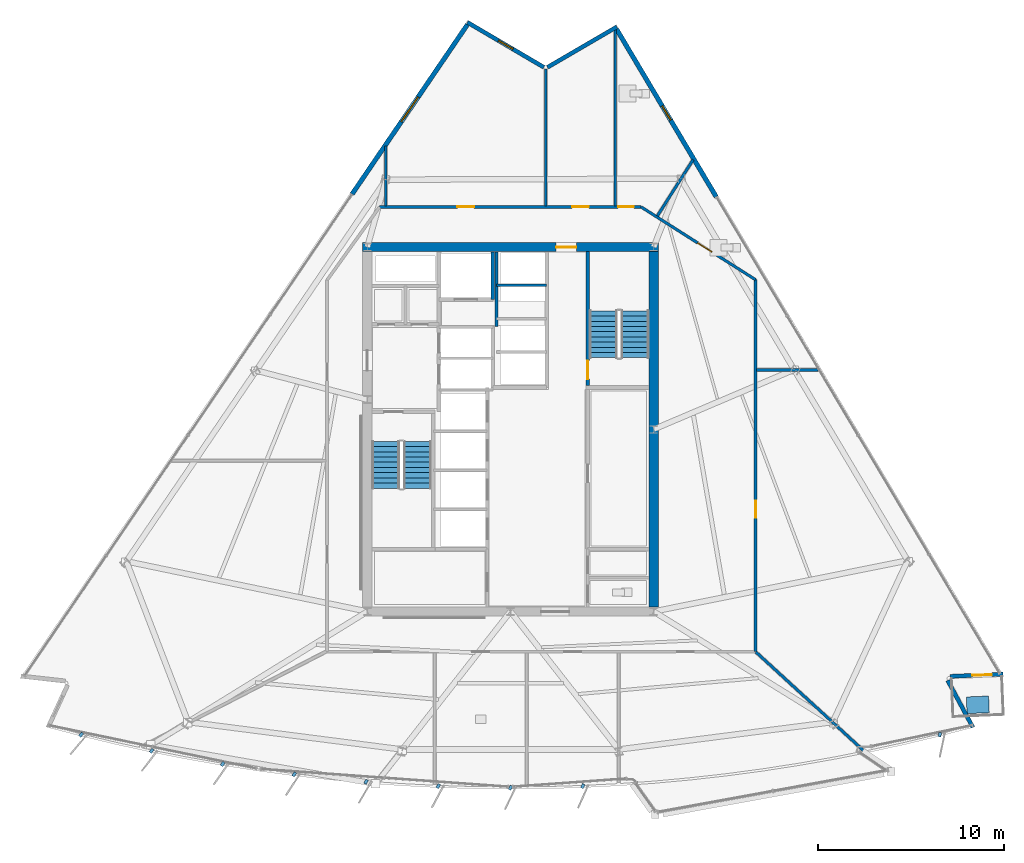
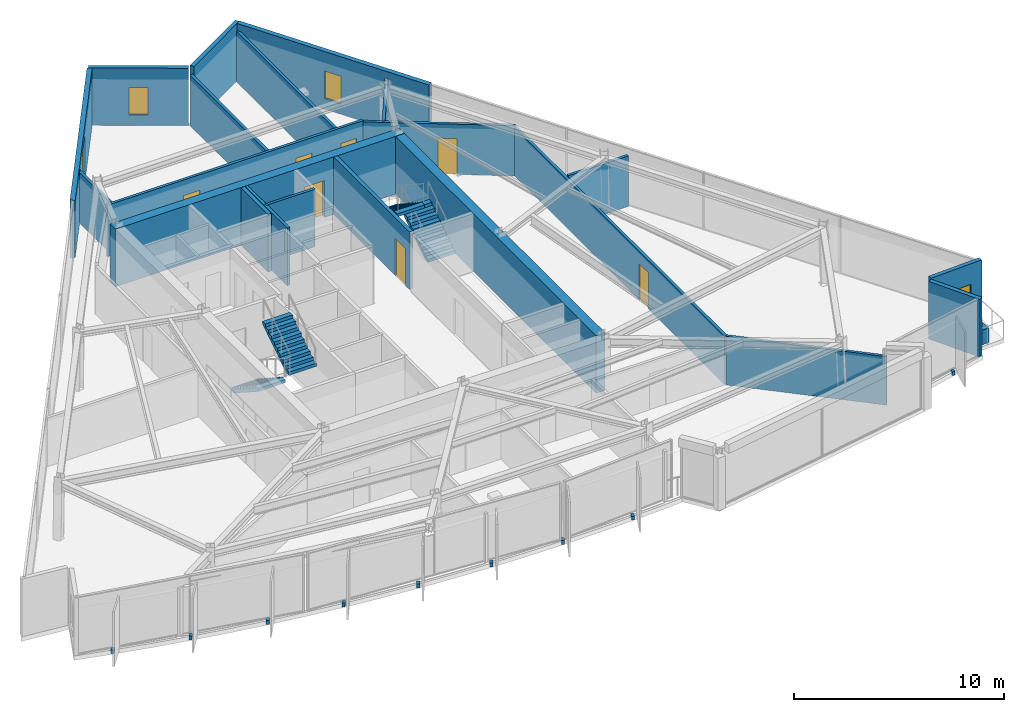
# One storey, part 9 of 13: 21 walls, 10 discrete accessories, 8 doors, 4 stair flights, 3 windows, 11 openings, 2 elements without a shape of their own.
"""IFC4 building model written with IfcOpenShell, lengths in metres."""

import ifcopenshell
import ifcopenshell.guid

model = None  # the IFC model being written
_history = None  # IfcOwnerHistory: only IFC2X3 demands one
_inside = {}  # id of a spatial element -> (the spatial element, [elements in it])
_under = {}  # id of a project, library or spatial element -> (it, [spatial elements below it])
_declared = {}  # id of a project -> (the project, [libraries it declares])
_typed = {}  # id of a type object -> (the type object, [elements of that type])
_made_of = {}  # id of a material, layer set ... -> (it, [elements and type objects made of it])


def new_model(schema):
    """Start an empty IFC model of exactly this schema.

    Asked for "IFC4X3", IfcOpenShell would pick the latest addendum, in which some entities
    have other attributes; the version numbers below select the first issue.
    IFC2X3 requires an IfcOwnerHistory on every rooted entity: one is made here for all.
    """
    global model, _history
    if schema == "IFC4X3":
        model = ifcopenshell.file(schema_version=(4, 3, 0, 0))
    else:
        model = ifcopenshell.file(schema=schema)
    _inside.clear()
    _under.clear()
    _declared.clear()
    _typed.clear()
    _made_of.clear()
    _history = None
    if model.schema == "IFC2X3":
        org = make("IfcOrganization", Name="unknown")
        user = make(
            "IfcPersonAndOrganization",
            ThePerson=make("IfcPerson", FamilyName="unknown"),
            TheOrganization=org,
        )
        app = make(
            "IfcApplication",
            ApplicationDeveloper=org,
            Version="unknown",
            ApplicationFullName="unknown",
            ApplicationIdentifier="unknown",
        )
        _history = make(
            "IfcOwnerHistory",
            OwningUser=user,
            OwningApplication=app,
            ChangeAction="ADDED",
            CreationDate=0,
        )
    return model


def make(cls, **values):
    """One entity of the class cls with the attributes given. An attribute that is None is left unset."""
    return model.create_entity(
        cls, **{name: value for name, value in values.items() if value is not None}
    )


def rooted(cls, **values):
    """An entity with a GlobalId (a new one), such as an element, a storey or a relation."""
    return make(cls, GlobalId=ifcopenshell.guid.new(), OwnerHistory=_history, **values)


def si_unit(unit_type, name, prefix=None):
    """IfcSIUnit, for example si_unit("LENGTHUNIT", "METRE", prefix="MILLI")."""
    return make("IfcSIUnit", UnitType=unit_type, Prefix=prefix, Name=name)


def assignment(units):
    """IfcUnitAssignment: the units of a project."""
    return None if units is None else make("IfcUnitAssignment", Units=units)


def point(xyz):
    """IfcCartesianPoint."""
    return None if xyz is None else make("IfcCartesianPoint", Coordinates=xyz)


def direction(xyz):
    """IfcDirection."""
    return None if xyz is None else make("IfcDirection", DirectionRatios=xyz)


def frame(location, z_axis=None, x_axis=None):
    """IfcAxis2Placement3D, a coordinate frame: its origin and axes. An axis left out is left unset."""
    return make(
        "IfcAxis2Placement3D",
        Location=point(location),
        Axis=direction(z_axis),
        RefDirection=direction(x_axis),
    )


def frame_2d(location, x_axis=None):
    """IfcAxis2Placement2D, a coordinate frame in the plane: its origin and x axis."""
    return make(
        "IfcAxis2Placement2D", Location=point(location), RefDirection=direction(x_axis)
    )


def origin():
    """The frame at (0, 0, 0) with its axes left unset."""
    return frame((0.0, 0.0, 0.0))


def origin_2d():
    """The frame at (0, 0) in the plane with its x axis left unset."""
    return frame_2d((0.0, 0.0))


def place(relative_to, where):
    """IfcLocalPlacement: puts the frame where relative to a parent placement (None: the world)."""
    return make(
        "IfcLocalPlacement", PlacementRelTo=relative_to, RelativePlacement=where
    )


def context(
    kind, dimensions, precision=None, world=None, true_north=None, identifier=None
):
    """IfcGeometricRepresentationContext, for example the 3D "Model" context."""
    return make(
        "IfcGeometricRepresentationContext",
        ContextIdentifier=identifier,
        ContextType=kind,
        CoordinateSpaceDimension=dimensions,
        Precision=precision,
        WorldCoordinateSystem=world,
        TrueNorth=true_north,
    )


def subcontext(parent, identifier, kind, view, scale=None):
    """IfcGeometricRepresentationSubContext, for example "Body" below "Model"."""
    return make(
        "IfcGeometricRepresentationSubContext",
        ContextIdentifier=identifier,
        ContextType=kind,
        ParentContext=parent,
        TargetScale=scale,
        TargetView=view,
    )


def project(units=None, contexts=None):
    """IfcProject with its units and contexts."""
    return rooted(
        "IfcProject",
        Name="project",
        RepresentationContexts=contexts,
        UnitsInContext=assignment(units),
    )


def spatial(cls, under=None, at=None, **own):
    """A site, building, storey or space (cls), placed at a placement, below another one or the project."""
    s = rooted(cls, ObjectPlacement=at, **own)
    if under is not None:
        _under.setdefault(under.id(), (under, []))[1].append(s)
    return s


def polyline(points):
    """IfcPolyline through the points."""
    return make("IfcPolyline", Points=[point(p) for p in points])


def profile(cls, at=None, kind="AREA", **sizes):
    """A parametric profile (cls). Its sizes go by their IFC names, for example OverallWidth=200.0."""
    return make(cls, ProfileType=kind, Position=at, **sizes)


def rectangle(**sizes):
    """IfcRectangleProfileDef."""
    return profile("IfcRectangleProfileDef", **sizes)


def outline(outer, holes=None, kind="AREA"):
    """IfcArbitraryClosedProfileDef: a profile drawn as a closed curve; with holes, ...WithVoids."""
    if holes is None:
        return make("IfcArbitraryClosedProfileDef", ProfileType=kind, OuterCurve=outer)
    return make(
        "IfcArbitraryProfileDefWithVoids",
        ProfileType=kind,
        OuterCurve=outer,
        InnerCurves=holes,
    )


def extrude(swept, where, along, depth):
    """IfcExtrudedAreaSolid: the profile swept, set in the frame where, extruded along a direction by depth."""
    return make(
        "IfcExtrudedAreaSolid",
        SweptArea=swept,
        Position=where,
        ExtrudedDirection=direction(along),
        Depth=depth,
    )


def shape(context_of_items, identifier, shape_type, items):
    """IfcShapeRepresentation: the items that make up one representation, for example the "Body"."""
    return make(
        "IfcShapeRepresentation",
        ContextOfItems=context_of_items,
        RepresentationIdentifier=identifier,
        RepresentationType=shape_type,
        Items=items,
    )


def material(Name=None, Category=None):
    """IfcMaterial."""
    return make("IfcMaterial", Name=Name, Category=Category)


def layer(
    of_material, thickness, ventilated=None, Name=None, Category=None, Priority=None
):
    """IfcMaterialLayer: one layer of a wall or slab, of a material (None: an air gap)."""
    return make(
        "IfcMaterialLayer",
        Material=of_material,
        LayerThickness=thickness,
        IsVentilated=ventilated,
        Name=Name,
        Category=Category,
        Priority=Priority,
    )


def layer_set(layers, Name=None):
    """IfcMaterialLayerSet."""
    return make("IfcMaterialLayerSet", MaterialLayers=layers, LayerSetName=Name)


def made_of(thing, what):
    """Note that an element or type object is made of a material, layer set ...; save() writes the relation."""
    if what is not None:
        _made_of.setdefault(what.id(), (what, []))[1].append(thing)
    return thing


def type_object(cls, material=None, **own):
    """A type object (cls), such as IfcWallType, which elements share."""
    return made_of(rooted(cls, **own), material)


def element(
    cls,
    number,
    at=None,
    inside=None,
    cuts=None,
    type_object=None,
    material=None,
    context=None,
    identifier="Body",
    shape_type=None,
    held_by="IfcProductDefinitionShape",
    body=None,
    shapes=None,
    **own,
):
    """One element of the class cls, such as IfcWall. Its Tag is "e" and its number.

    at: its placement. inside: the storey or other place that contains it. cuts: it is an
    opening in that element (IfcRelVoidsElement). A single representation is given by context,
    identifier, shape_type and body (its items); several are given by shapes. held_by: the class
    of the entity that holds the representations. save() writes the other relations.
    """
    e = rooted(cls, Tag="e%d" % number, ObjectPlacement=at, **own)
    if body is not None:
        shapes = [shape(context, identifier, shape_type, body)]
    if shapes is not None:
        e.Representation = make(held_by, Representations=shapes)
    if inside is not None:
        _inside.setdefault(inside.id(), (inside, []))[1].append(e)
    if cuts is not None:
        rooted(
            "IfcRelVoidsElement", RelatingBuildingElement=cuts, RelatedOpeningElement=e
        )
    if type_object is not None:
        _typed.setdefault(type_object.id(), (type_object, []))[1].append(e)
    return made_of(e, material)


def fill(opening, filler):
    """IfcRelFillsElement: the door or window that sits in an opening."""
    return rooted(
        "IfcRelFillsElement",
        RelatingOpeningElement=opening,
        RelatedBuildingElement=filler,
    )


def aggregate(whole, parts):
    """IfcRelAggregates: a whole, such as a stair, and the parts it consists of."""
    return rooted("IfcRelAggregates", RelatingObject=whole, RelatedObjects=parts)


def save(model, path):
    """Write the relations noted so far, then the file.

    IfcRelAggregates (storeys below a building ...), IfcRelContainedInSpatialStructure (elements
    in a storey), IfcRelDefinesByType, IfcRelAssociatesMaterial and IfcRelDeclares: one each for
    every whole, place, type object, material and project.
    """
    for whole, parts in _under.values():
        aggregate(whole, parts)
    for where, things in _inside.values():
        rooted(
            "IfcRelContainedInSpatialStructure",
            RelatedElements=things,
            RelatingStructure=where,
        )
    for kind, things in _typed.values():
        rooted("IfcRelDefinesByType", RelatedObjects=things, RelatingType=kind)
    for what, things in _made_of.values():
        rooted("IfcRelAssociatesMaterial", RelatedObjects=things, RelatingMaterial=what)
    for by, libraries in _declared.values():
        rooted("IfcRelDeclares", RelatingContext=by, RelatedDefinitions=libraries)
    model.write(path)


model = new_model("IFC4")

# Units and contexts
model_context = context("Model", 3, precision=1e-05, world=origin(), true_north=direction((0.0, 1.0)))
body_context = subcontext(model_context, "Body", "Model", "MODEL_VIEW")
ifc_project = project(units=[si_unit("LENGTHUNIT", "METRE"), si_unit("AREAUNIT", "SQUARE_METRE"), si_unit("VOLUMEUNIT", "CUBIC_METRE"), si_unit("PLANEANGLEUNIT", "RADIAN"), si_unit("MASSUNIT", "GRAM", prefix="KILO")], contexts=[model_context])

# Site, building, storey
site_placement = place(None, origin())
site = spatial("IfcSite", under=ifc_project, at=site_placement, CompositionType="ELEMENT")
building_placement = place(site_placement, origin())
building = spatial("IfcBuilding", under=site, at=building_placement, Name="Savorim Split Tower", CompositionType="ELEMENT")
storey_placement = place(building_placement, frame((0.0, 0.0, 174.60009765625)))
storey = spatial("IfcBuildingStorey", under=building, at=storey_placement, Name="L46", CompositionType="ELEMENT", Elevation=174.60009765625)

# Wall, opening, door
ifc_material_1 = material(Name="Concrete C60/75", Category="concrete")
ifc_layer_1 = layer(ifc_material_1, 0.5)
ifc_layer_set_1 = layer_set([ifc_layer_1], Name="WAL-COR-SH500")
wall_type_1 = type_object("IfcWallType", Name="WAL-COR-SH500", PredefinedType="SHEAR", material=ifc_layer_set_1)
wall_1_placement = place(storey_placement, frame((7.949951171875, 10.199951171875, 0.0), z_axis=(0.0, 0.0, 1.0), x_axis=(-1.0, 0.0, 0.0)))
wall_1 = element("IfcWall", 1, at=wall_1_placement, inside=storey, type_object=wall_type_1, Name="L46 Offset Core North Shear Wall", PredefinedType="SHEAR", context=body_context, shape_type="SweptSolid", body=[
    extrude(rectangle(XDim=15.89990234375, YDim=0.5, at=frame_2d((7.949951171875, 0.0))), origin(), (0.0, 0.0, 1.0), 3.349853515625),
])
opening_1_placement = place(wall_1_placement, frame((4.39990234375, 0.0, 0.0)))
opening_1 = element("IfcOpeningElement", 2, at=opening_1_placement, cuts=wall_1, Name="Opening DI-03", PredefinedType="OPENING", context=body_context, shape_type="SweptSolid", body=[
    extrude(rectangle(XDim=1.10009765625, YDim=2.14990234375, at=frame_2d((0.550048828125, 1.074951171875))), frame((0.0, 0.260009765625, 0.0), z_axis=(0.0, -1.0, 0.0), x_axis=(1.0, 0.0, 0.0)), (0.0, 0.0, 1.0), 0.52001953125),
])
ifc_material_2 = material(Name="Timber Fire Door Leaf", Category="wood")
door_type_1 = type_object("IfcDoorType", Name="DOR-FIR-1100", OperationType="NOTDEFINED", PredefinedType="DOOR", material=ifc_material_2)
door_1_placement = place(opening_1_placement, origin())
door_1 = element("IfcDoor", 3, at=door_1_placement, inside=storey, type_object=door_type_1, Name="DOR-L46-COR-NLOB - L46 North Corridor Lobby Fire Door", OperationType="SINGLE_SWING_LEFT", OverallHeight=2.14990234375, OverallWidth=1.10009765625, PredefinedType="DOOR", context=body_context, shape_type="SweptSolid", body=[
    extrude(rectangle(XDim=1.10009765625, YDim=2.14990234375, at=frame_2d((0.550048828125, 1.074951171875))), frame((0.0, 0.02490234375, 0.0), z_axis=(0.0, -1.0, 0.0), x_axis=(1.0, 0.0, 0.0)), (0.0, 0.0, 1.0), 0.050048828125),
])
fill(opening_1, door_1)

# Walls
wall_2_placement = place(storey_placement, frame((7.699951171875, 9.949951171875, 0.0), z_axis=(0.0, 0.0, 1.0), x_axis=(0.0, -1.0, 0.0)))
element("IfcWall", 4, at=wall_2_placement, inside=storey, type_object=wall_type_1, Name="L46 Offset Core East Shear Wall", PredefinedType="SHEAR", context=body_context, shape_type="SweptSolid", body=[
    extrude(rectangle(XDim=19.099853515625, YDim=0.5, at=frame_2d((9.5498046875, 0.0))), origin(), (0.0, 0.0, 1.0), 3.349853515625),
])
ifc_material_3 = material(Name="Precast concrete C40/50", Category="concrete")
ifc_layer_2 = layer(ifc_material_3, 0.219970703125)
ifc_layer_set_2 = layer_set([ifc_layer_2], Name="WAL-EXT-CRN220")
wall_type_2 = type_object("IfcWallType", Name="WAL-EXT-CRN220", PredefinedType="SOLIDWALL", material=ifc_layer_set_2)
wall_3_placement = place(storey_placement, frame((23.51123046875, -13.102294921875, 0.0), z_axis=(0.0, 0.0, 1.0), x_axis=(0.472804807667, -0.881167188362, 0.0)))
element("IfcWall", 5, at=wall_3_placement, inside=storey, type_object=wall_type_2, Name="L46 Notched Corner Facade Wall SE1", PredefinedType="SOLIDWALL", context=body_context, shape_type="SweptSolid", body=[
    extrude(rectangle(XDim=2.867919921875, YDim=0.219970703125, at=frame_2d((1.43408203125, 0.0))), origin(), (0.0, 0.0, 1.0), 3.349853515625),
])

# Wall, opening, door
wall_4_placement = place(storey_placement, frame((26.495849609375, -12.766845703125, 0.0), z_axis=(0.0, 0.0, 1.0), x_axis=(-0.999095763679, -0.042516526188, 0.0)))
wall_4 = element("IfcWall", 6, at=wall_4_placement, inside=storey, type_object=wall_type_2, Name="L46 Notched Corner Facade Wall SE", PredefinedType="SOLIDWALL", context=body_context, shape_type="SweptSolid", body=[
    extrude(rectangle(XDim=2.865478515625, YDim=0.219970703125, at=frame_2d((1.4326171875, 0.0))), origin(), (0.0, 0.0, 1.0), 3.349853515625),
])
opening_2_placement = place(wall_4_placement, frame((0.607666015625, 0.0, 0.0)))
opening_2 = element("IfcOpeningElement", 7, at=opening_2_placement, cuts=wall_4, Name="Opening DB-01", PredefinedType="OPENING", context=body_context, shape_type="SweptSolid", body=[
    extrude(rectangle(XDim=1.050048828125, YDim=2.14990234375, at=frame_2d((0.52490234375, 1.074951171875))), frame((0.0, 0.119873046875, 0.0), z_axis=(0.0, -1.0, 0.0), x_axis=(1.0, 0.0, 0.0)), (0.0, 0.0, 1.0), 0.239990234375),
])
ifc_material_4 = material(Name="Charcoal Anodised Aluminium", Category="aluminium")
door_type_2 = type_object("IfcDoorType", Name="DOR-BAL-1050", OperationType="NOTDEFINED", PredefinedType="DOOR", material=ifc_material_4)
door_2_placement = place(opening_2_placement, origin())
door_2 = element("IfcDoor", 8, at=door_2_placement, inside=storey, type_object=door_type_2, Name="DOR-L46-TBAL-SE - L46 Planted Tree Balcony Door SE", OperationType="SINGLE_SWING_LEFT", OverallHeight=2.14990234375, OverallWidth=1.050048828125, PredefinedType="DOOR", context=body_context, shape_type="SweptSolid", body=[
    extrude(rectangle(XDim=1.050048828125, YDim=2.14990234375, at=frame_2d((0.52490234375, 1.074951171875))), frame((0.0, 0.02490234375, 0.0), z_axis=(0.0, -1.0, 0.0), x_axis=(1.0, 0.0, 0.0)), (0.0, 0.0, 1.0), 0.050048828125),
])
fill(opening_2, door_2)

# Wall
wall_5_placement = place(storey_placement, frame((1.987060546875, 19.867919921875, 0.0), z_axis=(0.0, 0.0, 1.0), x_axis=(0.863979520686, 0.503526948469, 0.0)))
element("IfcWall", 9, at=wall_5_placement, inside=storey, type_object=wall_type_2, Name="L46 Notched Corner Facade Wall NE1", PredefinedType="SOLIDWALL", context=body_context, shape_type="SweptSolid", body=[
    extrude(rectangle(XDim=4.323974609375, YDim=0.219970703125, at=frame_2d((2.162109375, 0.0))), origin(), (0.0, 0.0, 1.0), 3.349853515625),
])

# Wall, opening, window
wall_6_placement = place(storey_placement, frame((-2.32177734375, 22.288818359375, 0.0), z_axis=(0.0, 0.0, 1.0), x_axis=(0.862111523483, -0.506718581738, 0.0)))
wall_6 = element("IfcWall", 10, at=wall_6_placement, inside=storey, type_object=wall_type_2, Name="L46 Notched Corner Facade Wall N", PredefinedType="SOLIDWALL", context=body_context, shape_type="SweptSolid", body=[
    extrude(rectangle(XDim=4.777099609375, YDim=0.219970703125, at=frame_2d((2.388671875, 0.0))), origin(), (0.0, 0.0, 1.0), 3.349853515625),
])
opening_3_placement = place(wall_6_placement, frame((1.938720703125, 0.0, 0.6201171875)))
opening_3 = element("IfcOpeningElement", 11, at=opening_3_placement, cuts=wall_6, Name="Opening WN-10", PredefinedType="OPENING", context=body_context, shape_type="SweptSolid", body=[
    extrude(rectangle(XDim=0.89990234375, YDim=1.60009765625, at=frame_2d((0.449951171875, 0.800048828125))), frame((0.0, 0.119873046875, 0.0), z_axis=(0.0, -1.0, 0.0), x_axis=(1.0, 0.0, 0.0)), (0.0, 0.0, 1.0), 0.239990234375),
])
ifc_material_5 = material(Name="Low-E Operable Double Glazing", Category="glass")
window_type_1 = type_object("IfcWindowType", Name="WIN-TWR-900x1600", PartitioningType="SINGLE_PANEL", PredefinedType="WINDOW", material=ifc_material_5)
window_1_placement = place(opening_3_placement, origin())
window_1 = element("IfcWindow", 12, at=window_1_placement, inside=storey, type_object=window_type_1, Name="L46 Operable Corner Window N", OverallHeight=1.60009765625, OverallWidth=0.89990234375, PartitioningType="SINGLE_PANEL", PredefinedType="WINDOW", context=body_context, shape_type="SweptSolid", body=[
    extrude(rectangle(XDim=0.89990234375, YDim=1.60009765625, at=frame_2d((0.449951171875, 0.800048828125))), frame((0.0, 0.030029296875, 0.0), z_axis=(0.0, -1.0, 0.0), x_axis=(1.0, 0.0, 0.0)), (0.0, 0.0, 1.0), 0.06005859375),
])
fill(opening_3, window_1)

ifc_layer_3 = layer(ifc_material_3, 0.25)
ifc_layer_set_3 = layer_set([ifc_layer_3], Name="WAL-EXT-SPN250")
wall_type_3 = type_object("IfcWallType", Name="WAL-EXT-SPN250", PredefinedType="SOLIDWALL", material=ifc_layer_set_3)
wall_7_placement = place(storey_placement, frame((5.706298828125, 21.918701171875, 0.0), z_axis=(0.0, 0.0, 1.0), x_axis=(0.511079110892, -0.859533677298, 0.0)))
wall_7 = element("IfcWall", 13, at=wall_7_placement, inside=storey, type_object=wall_type_3, Name="L46 East Operable Window Pier", PredefinedType="SOLIDWALL", context=body_context, shape_type="SweptSolid", body=[
    extrude(rectangle(XDim=10.4892578125, YDim=0.25, at=frame_2d((5.24462890625, 0.0))), origin(), (0.0, 0.0, 1.0), 3.349853515625),
])
opening_4_placement = place(wall_7_placement, frame((4.794677734375, 0.0, 0.6201171875)))
opening_4 = element("IfcOpeningElement", 14, at=opening_4_placement, cuts=wall_7, Name="Opening WN-10", PredefinedType="OPENING", context=body_context, shape_type="SweptSolid", body=[
    extrude(rectangle(XDim=0.89990234375, YDim=1.60009765625, at=frame_2d((0.449951171875, 0.800048828125))), frame((0.0, 0.135009765625, 0.0), z_axis=(0.0, -1.0, 0.0), x_axis=(1.0, 0.0, 0.0)), (0.0, 0.0, 1.0), 0.27001953125),
])
window_2_placement = place(opening_4_placement, origin())
window_2 = element("IfcWindow", 15, at=window_2_placement, inside=storey, type_object=window_type_1, Name="L46 East Operable Ventilation Window", OverallHeight=1.60009765625, OverallWidth=0.89990234375, PartitioningType="SINGLE_PANEL", PredefinedType="WINDOW", context=body_context, shape_type="SweptSolid", body=[
    extrude(rectangle(XDim=0.89990234375, YDim=1.60009765625, at=frame_2d((0.449951171875, 0.800048828125))), frame((0.0, 0.030029296875, 0.0), z_axis=(0.0, -1.0, 0.0), x_axis=(1.0, 0.0, 0.0)), (0.0, 0.0, 1.0), 0.06005859375),
])
fill(opening_4, window_2)

wall_8_placement = place(storey_placement, frame((-8.51708984375, 13.053466796875, 0.0), z_axis=(0.0, 0.0, 1.0), x_axis=(0.562463961516, 0.826821801838, 0.0)))
wall_8 = element("IfcWall", 16, at=wall_8_placement, inside=storey, type_object=wall_type_3, Name="L46 West Operable Window Pier", PredefinedType="SOLIDWALL", context=body_context, shape_type="SweptSolid", body=[
    extrude(rectangle(XDim=11.017578125, YDim=0.25, at=frame_2d((5.5087890625, 0.0))), origin(), (0.0, 0.0, 1.0), 3.349853515625),
])
opening_5_placement = place(wall_8_placement, frame((4.708984375, 0.0, 0.6201171875)))
opening_5 = element("IfcOpeningElement", 17, at=opening_5_placement, cuts=wall_8, Name="Opening WN-05", PredefinedType="OPENING", context=body_context, shape_type="SweptSolid", body=[
    extrude(rectangle(XDim=1.60009765625, YDim=2.10009765625, at=frame_2d((0.800048828125, 1.050048828125))), frame((0.0, 0.135009765625, 0.0), z_axis=(0.0, -1.0, 0.0), x_axis=(1.0, 0.0, 0.0)), (0.0, 0.0, 1.0), 0.27001953125),
])
window_type_2 = type_object("IfcWindowType", Name="WIN-TWR-1600x2100", PartitioningType="DOUBLE_PANEL_VERTICAL", PredefinedType="WINDOW", material=ifc_material_5)
window_3_placement = place(opening_5_placement, origin())
window_3 = element("IfcWindow", 18, at=window_3_placement, inside=storey, type_object=window_type_2, Name="L46 West Operable Ventilation Window", OverallHeight=2.10009765625, OverallWidth=1.60009765625, PartitioningType="SINGLE_PANEL", PredefinedType="WINDOW", context=body_context, shape_type="SweptSolid", body=[
    extrude(rectangle(XDim=1.60009765625, YDim=2.10009765625, at=frame_2d((0.800048828125, 1.050048828125))), frame((0.0, 0.030029296875, 0.0), z_axis=(0.0, -1.0, 0.0), x_axis=(1.0, 0.0, 0.0)), (0.0, 0.0, 1.0), 0.06005859375),
])
fill(opening_5, window_3)

# Wall, opening, door
ifc_material_6 = material(Name="Concrete C50/60", Category="concrete")
ifc_layer_4 = layer(ifc_material_6, 0.199951171875)
ifc_layer_set_4 = layer_set([ifc_layer_4], Name="WAL-INT-RC200")
wall_type_4 = type_object("IfcWallType", Name="WAL-INT-RC200", PredefinedType="SOLIDWALL", material=ifc_layer_set_4)
wall_9_placement = place(storey_placement, frame((4.14990234375, 2.75, 0.0), z_axis=(0.0, 0.0, 1.0), x_axis=(0.0, 1.0, 0.0)))
wall_9 = element("IfcWall", 19, at=wall_9_placement, inside=storey, type_object=wall_type_4, Name="L46 Structural Shaft Wall W-L46-CR07", PredefinedType="SOLIDWALL", context=body_context, shape_type="SweptSolid", body=[
    extrude(rectangle(XDim=7.199951171875, YDim=0.199951171875, at=frame_2d((3.60009765625, 0.0))), origin(), (0.0, 0.0, 1.0), 3.349853515625),
])
opening_6_placement = place(wall_9_placement, frame((0.35009765625, 0.0, 0.0)))
opening_6 = element("IfcOpeningElement", 20, at=opening_6_placement, cuts=wall_9, Name="Opening DI-04", PredefinedType="OPENING", context=body_context, shape_type="SweptSolid", body=[
    extrude(rectangle(XDim=1.0, YDim=2.14990234375, at=frame_2d((0.5, 1.074951171875))), frame((0.0, 0.10986328125, 0.0), z_axis=(0.0, -1.0, 0.0), x_axis=(1.0, 0.0, 0.0)), (0.0, 0.0, 1.0), 0.219970703125),
])
door_type_3 = type_object("IfcDoorType", Name="DOR-FIR-1000", OperationType="NOTDEFINED", PredefinedType="DOOR", material=ifc_material_2)
door_3_placement = place(opening_6_placement, origin())
door_3 = element("IfcDoor", 21, at=door_3_placement, inside=storey, type_object=door_type_3, Name="DR-L46-ST2 - L46 Stair ST-2 Enclosure Door", OperationType="SINGLE_SWING_RIGHT", OverallHeight=2.14990234375, OverallWidth=1.0, PredefinedType="DOOR", context=body_context, shape_type="SweptSolid", body=[
    extrude(rectangle(XDim=1.0, YDim=2.14990234375, at=frame_2d((0.5, 1.074951171875))), frame((0.0, 0.02490234375, 0.0), z_axis=(0.0, -1.0, 0.0), x_axis=(1.0, 0.0, 0.0)), (0.0, 0.0, 1.0), 0.050048828125),
])
fill(opening_6, door_3)

# Walls
wall_10_placement = place(storey_placement, frame((-0.949951171875, 7.3798828125, 0.0), z_axis=(0.0, 0.0, 1.0), x_axis=(0.0, 1.0, 0.0)))
element("IfcWall", 22, at=wall_10_placement, inside=storey, type_object=wall_type_4, Name="L46 Partition W-L46-SVLE", PredefinedType="SOLIDWALL", context=body_context, shape_type="SweptSolid", body=[
    extrude(rectangle(XDim=2.565185546875, YDim=0.199951171875, at=frame_2d((1.28271484375, 0.0))), origin(), (0.0, 0.0, 1.0), 3.349853515625),
])
ifc_material_7 = material(Name="Acoustic Gypsum Partition Board")
ifc_layer_5 = layer(ifc_material_7, 0.14990234375)
ifc_layer_set_5 = layer_set([ifc_layer_5], Name="WAL-PAR-150")
wall_type_5 = type_object("IfcWallType", Name="WAL-PAR-150", PredefinedType="PARTITIONING", material=ifc_layer_set_5)
wall_11_placement = place(storey_placement, frame((-0.75, 5.919921875, 0.0), z_axis=(0.0, 0.0, 1.0), x_axis=(0.0, 1.0, 0.0)))
element("IfcWall", 23, at=wall_11_placement, inside=storey, type_object=wall_type_5, Name="L46 Partition W-L46-B3WEST", PredefinedType="PARTITIONING", context=body_context, shape_type="SweptSolid", body=[
    extrude(rectangle(XDim=4.025146484375, YDim=0.14990234375, at=frame_2d((2.0126953125, 0.0))), origin(), (0.0, 0.0, 1.0), 3.349853515625),
])
wall_12_placement = place(storey_placement, frame((-0.75, 8.14990234375, 0.0), z_axis=(0.0, 0.0, 1.0), x_axis=(1.0, 0.0, 0.0)))
element("IfcWall", 24, at=wall_12_placement, inside=storey, type_object=wall_type_5, Name="L46 Partition W-L46-B3DIV3", PredefinedType="PARTITIONING", context=body_context, shape_type="SweptSolid", body=[
    extrude(rectangle(XDim=2.699951171875, YDim=0.14990234375, at=frame_2d((1.35009765625, 0.0))), origin(), (0.0, 0.0, 1.0), 3.349853515625),
])

# Wall, openings, doors
wall_13_placement = place(storey_placement, frame((-7.041015625, 12.360107421875, 0.0), z_axis=(0.0, 0.0, 1.0), x_axis=(1.0, 0.0, 0.0)))
wall_13 = element("IfcWall", 25, at=wall_13_placement, inside=storey, type_object=wall_type_5, Name="L46 Partition W-L46-COR-03", PredefinedType="PARTITIONING", context=body_context, shape_type="SweptSolid", body=[
    extrude(rectangle(XDim=14.064208984375, YDim=0.14990234375, at=frame_2d((7.0322265625, 0.0))), origin(), (0.0, 0.0, 1.0), 3.0048828125),
])
opening_7_placement = place(wall_13_placement, frame((12.83154296875, 0.0, 0.0)))
opening_7 = element("IfcOpeningElement", 26, at=opening_7_placement, cuts=wall_13, Name="Opening DI-13", PredefinedType="OPENING", context=body_context, shape_type="SweptSolid", body=[
    extrude(rectangle(XDim=0.85009765625, YDim=2.10009765625, at=frame_2d((0.425048828125, 1.050048828125))), frame((0.0, 0.0849609375, 0.0), z_axis=(0.0, -1.0, 0.0), x_axis=(1.0, 0.0, 0.0)), (0.0, 0.0, 1.0), 0.169921875),
])
opening_8_placement = place(wall_13_placement, frame((10.355224609375, 0.0, 0.0)))
opening_8 = element("IfcOpeningElement", 27, at=opening_8_placement, cuts=wall_13, Name="Opening DI-06", PredefinedType="OPENING", context=body_context, shape_type="SweptSolid", body=[
    extrude(rectangle(XDim=0.89990234375, YDim=2.10009765625, at=frame_2d((0.449951171875, 1.050048828125))), frame((0.0, 0.0849609375, 0.0), z_axis=(0.0, -1.0, 0.0), x_axis=(1.0, 0.0, 0.0)), (0.0, 0.0, 1.0), 0.169921875),
])
opening_9_placement = place(wall_13_placement, frame((4.182861328125, 0.0, 0.0)))
opening_9 = element("IfcOpeningElement", 28, at=opening_9_placement, cuts=wall_13, Name="Opening DI-06", PredefinedType="OPENING", context=body_context, shape_type="SweptSolid", body=[
    extrude(rectangle(XDim=0.89990234375, YDim=2.10009765625, at=frame_2d((0.449951171875, 1.050048828125))), frame((0.0, 0.0849609375, 0.0), z_axis=(0.0, -1.0, 0.0), x_axis=(1.0, 0.0, 0.0)), (0.0, 0.0, 1.0), 0.169921875),
])
door_type_4 = type_object("IfcDoorType", Name="DOR-FIR-850", OperationType="NOTDEFINED", PredefinedType="DOOR", material=ifc_material_2)
door_4_placement = place(opening_7_placement, origin())
door_4 = element("IfcDoor", 29, at=door_4_placement, inside=storey, type_object=door_type_4, Name="DR-L46-RM08 - L46 Shared Bathroom Entry Door", OperationType="SINGLE_SWING_LEFT", OverallHeight=2.10009765625, OverallWidth=0.85009765625, PredefinedType="DOOR", context=body_context, shape_type="SweptSolid", body=[
    extrude(rectangle(XDim=0.85009765625, YDim=2.10009765625, at=frame_2d((0.425048828125, 1.050048828125))), frame((0.0, 0.02490234375, 0.0), z_axis=(0.0, -1.0, 0.0), x_axis=(1.0, 0.0, 0.0)), (0.0, 0.0, 1.0), 0.050048828125),
])
fill(opening_7, door_4)
door_type_5 = type_object("IfcDoorType", Name="DOR-FIR-900", OperationType="NOTDEFINED", PredefinedType="DOOR", material=ifc_material_2)
door_5_placement = place(opening_8_placement, origin())
door_5 = element("IfcDoor", 30, at=door_5_placement, inside=storey, type_object=door_type_5, Name="DR-L46-RM09 - L46 Quiet Study Room Entry Door", OperationType="SINGLE_SWING_RIGHT", OverallHeight=2.10009765625, OverallWidth=0.89990234375, PredefinedType="DOOR", context=body_context, shape_type="SweptSolid", body=[
    extrude(rectangle(XDim=0.89990234375, YDim=2.10009765625, at=frame_2d((0.449951171875, 1.050048828125))), frame((0.0, 0.02490234375, 0.0), z_axis=(0.0, -1.0, 0.0), x_axis=(1.0, 0.0, 0.0)), (0.0, 0.0, 1.0), 0.050048828125),
])
fill(opening_8, door_5)
door_6_placement = place(opening_9_placement, origin())
door_6 = element("IfcDoor", 31, at=door_6_placement, inside=storey, type_object=door_type_5, Name="DR-L46-RM10 - L46 Maker Workshop Entry Door", OperationType="SINGLE_SWING_LEFT", OverallHeight=2.10009765625, OverallWidth=0.89990234375, PredefinedType="DOOR", context=body_context, shape_type="SweptSolid", body=[
    extrude(rectangle(XDim=0.89990234375, YDim=2.10009765625, at=frame_2d((0.449951171875, 1.050048828125))), frame((0.0, 0.02490234375, 0.0), z_axis=(0.0, -1.0, 0.0), x_axis=(1.0, 0.0, 0.0)), (0.0, 0.0, 1.0), 0.050048828125),
])
fill(opening_9, door_6)

# Wall, opening, door
wall_14_placement = place(storey_placement, frame((7.023193359375, 12.360107421875, 0.0), z_axis=(0.0, 0.0, 1.0), x_axis=(0.84376480085, -0.536713108511, 0.0)))
wall_14 = element("IfcWall", 32, at=wall_14_placement, inside=storey, type_object=wall_type_5, Name="L46 Partition W-L46-COR-04", PredefinedType="PARTITIONING", context=body_context, shape_type="SweptSolid", body=[
    extrude(rectangle(XDim=7.296630859375, YDim=0.14990234375, at=frame_2d((3.6484375, 0.0))), origin(), (0.0, 0.0, 1.0), 2.934814453125),
])
opening_10_placement = place(wall_14_placement, frame((3.60888671875, 0.0, 0.0)))
opening_10 = element("IfcOpeningElement", 33, at=opening_10_placement, cuts=wall_14, Name="Opening DI-11", PredefinedType="OPENING", context=body_context, shape_type="SweptSolid", body=[
    extrude(rectangle(XDim=0.89990234375, YDim=2.10009765625, at=frame_2d((0.449951171875, 1.050048828125))), frame((0.0, 0.0849609375, 0.0), z_axis=(0.0, -1.0, 0.0), x_axis=(1.0, 0.0, 0.0)), (0.0, 0.0, 1.0), 0.169921875),
])
ifc_material_8 = material(Name="Oak Veneer Acoustic Door")
door_type_6 = type_object("IfcDoorType", Name="DOR-WC-900", OperationType="NOTDEFINED", PredefinedType="DOOR", material=ifc_material_8)
door_7_placement = place(opening_10_placement, origin())
door_7 = element("IfcDoor", 34, at=door_7_placement, inside=storey, type_object=door_type_6, Name="DR-L46-RM07 - L46 Shared Bathroom Entry Door", OperationType="SINGLE_SWING_RIGHT", OverallHeight=2.10009765625, OverallWidth=0.89990234375, PredefinedType="DOOR", context=body_context, shape_type="SweptSolid", body=[
    extrude(rectangle(XDim=0.89990234375, YDim=2.10009765625, at=frame_2d((0.449951171875, 1.050048828125))), frame((0.0, 0.02490234375, 0.0), z_axis=(0.0, -1.0, 0.0), x_axis=(1.0, 0.0, 0.0)), (0.0, 0.0, 1.0), 0.050048828125),
])
fill(opening_10, door_7)

wall_15_placement = place(storey_placement, frame((13.179931640625, 8.44384765625, 0.0), z_axis=(0.0, 0.0, 1.0), x_axis=(0.0, -1.0, 0.0)))
wall_15 = element("IfcWall", 35, at=wall_15_placement, inside=storey, type_object=wall_type_5, Name="L46 Partition W-L46-COR-05", PredefinedType="PARTITIONING", context=body_context, shape_type="SweptSolid", body=[
    extrude(rectangle(XDim=20.00390625, YDim=0.14990234375, at=frame_2d((10.001953125, 0.0))), origin(), (0.0, 0.0, 1.0), 2.824951171875),
])
opening_11_placement = place(wall_15_placement, frame((11.887939453125, 0.0, 0.0)))
opening_11 = element("IfcOpeningElement", 36, at=opening_11_placement, cuts=wall_15, Name="Opening DI-06", PredefinedType="OPENING", context=body_context, shape_type="SweptSolid", body=[
    extrude(rectangle(XDim=0.89990234375, YDim=2.10009765625, at=frame_2d((0.449951171875, 1.050048828125))), frame((0.0, 0.0849609375, 0.0), z_axis=(0.0, -1.0, 0.0), x_axis=(1.0, 0.0, 0.0)), (0.0, 0.0, 1.0), 0.169921875),
])
door_8_placement = place(opening_11_placement, origin())
door_8 = element("IfcDoor", 37, at=door_8_placement, inside=storey, type_object=door_type_5, Name="DR-L46-RM06 - L46 Maker Workshop Entry Door", OperationType="SINGLE_SWING_LEFT", OverallHeight=2.10009765625, OverallWidth=0.89990234375, PredefinedType="DOOR", context=body_context, shape_type="SweptSolid", body=[
    extrude(rectangle(XDim=0.89990234375, YDim=2.10009765625, at=frame_2d((0.449951171875, 1.050048828125))), frame((0.0, 0.02490234375, 0.0), z_axis=(0.0, -1.0, 0.0), x_axis=(1.0, 0.0, 0.0)), (0.0, 0.0, 1.0), 0.050048828125),
])
fill(opening_11, door_8)

# Walls
wall_16_placement = place(storey_placement, frame((13.19873046875, -11.578857421875, 0.0), z_axis=(0.0, 0.0, 1.0), x_axis=(0.737583898857, -0.675255501382, 0.0)))
element("IfcWall", 38, at=wall_16_placement, inside=storey, type_object=wall_type_5, Name="L46 Partition W-L46-PRAD04", PredefinedType="PARTITIONING", context=body_context, shape_type="SweptSolid", body=[
    extrude(rectangle(XDim=7.826171875, YDim=0.14990234375, at=frame_2d((3.9130859375, 0.0))), origin(), (0.0, 0.0, 1.0), 2.824951171875),
])
wall_17_placement = place(storey_placement, frame((13.239990234375, 3.593505859375, 0.0), z_axis=(0.0, 0.0, 1.0), x_axis=(1.0, 0.0, 0.0)))
element("IfcWall", 39, at=wall_17_placement, inside=storey, type_object=wall_type_5, Name="L46 Partition W-L46-PRAD06", PredefinedType="PARTITIONING", context=body_context, shape_type="SweptSolid", body=[
    extrude(rectangle(XDim=3.3046875, YDim=0.14990234375, at=frame_2d((1.65234375, 0.0))), origin(), (0.0, 0.0, 1.0), 2.934814453125),
])
wall_18_placement = place(storey_placement, frame((7.898681640625, 11.874267578125, 0.0), z_axis=(0.0, 0.0, 1.0), x_axis=(0.53666833004, 0.843793282464, 0.0)))
element("IfcWall", 40, at=wall_18_placement, inside=storey, type_object=wall_type_5, Name="L46 Partition W-L46-PRAD07", PredefinedType="PARTITIONING", context=body_context, shape_type="SweptSolid", body=[
    extrude(rectangle(XDim=3.584228515625, YDim=0.14990234375, at=frame_2d((1.7919921875, 0.0))), origin(), (0.0, 0.0, 1.0), 2.934814453125),
])
wall_19_placement = place(storey_placement, frame((-6.708740234375, 12.419921875, 0.0), z_axis=(0.0, 0.0, 1.0), x_axis=(0.0, 1.0, 0.0)))
element("IfcWall", 41, at=wall_19_placement, inside=storey, type_object=wall_type_5, Name="L46 Partition W-L46-PRAD08", PredefinedType="PARTITIONING", context=body_context, shape_type="SweptSolid", body=[
    extrude(rectangle(XDim=3.202880859375, YDim=0.14990234375, at=frame_2d((1.6015625, 0.0))), origin(), (0.0, 0.0, 1.0), 2.934814453125),
])
wall_20_placement = place(storey_placement, frame((1.892578125, 12.419921875, 0.0), z_axis=(0.0, 0.0, 1.0), x_axis=(0.0, 1.0, 0.0)))
element("IfcWall", 42, at=wall_20_placement, inside=storey, type_object=wall_type_5, Name="L46 Partition W-L46-SUB01", PredefinedType="PARTITIONING", context=body_context, shape_type="SweptSolid", body=[
    extrude(rectangle(XDim=7.361572265625, YDim=0.14990234375, at=frame_2d((3.6806640625, 0.0))), origin(), (0.0, 0.0, 1.0), 2.934814453125),
])
wall_21_placement = place(storey_placement, frame((5.6357421875, 12.419921875, 0.0), z_axis=(0.0, 0.0, 1.0), x_axis=(0.0, 1.0, 0.0)))
element("IfcWall", 43, at=wall_21_placement, inside=storey, type_object=wall_type_5, Name="L46 Partition W-L46-SUB04", PredefinedType="PARTITIONING", context=body_context, shape_type="SweptSolid", body=[
    extrude(rectangle(XDim=9.5166015625, YDim=0.14990234375, at=frame_2d((4.75830078125, 0.0))), origin(), (0.0, 0.0, 1.0), 2.934814453125),
])

# Stair, stair flights
stair_type = type_object("IfcStairType", Name="STR-DOG-3600", PredefinedType="HALF_TURN_STAIR", material=ifc_material_6)
stair_1_placement = place(storey_placement, origin())
stair_1 = element("IfcStair", 44, at=stair_1_placement, inside=storey, type_object=stair_type, Name="L46 Core Protected Exit Stair ST-1", PredefinedType="HALF_TURN_STAIR")
stair_flight_type = type_object("IfcStairFlightType", Name="SFL-DOG-3600", PredefinedType="STRAIGHT", material=ifc_material_6)
stair_flight_1_placement = place(storey_placement, frame((-6.699951171875, -0.25, 0.0), z_axis=(0.0, 0.0, 1.0), x_axis=(0.0, -1.0, 0.0)))
stair_flight_1 = element("IfcStairFlight", 45, at=stair_flight_1_placement, type_object=stair_flight_type, Name="ST-1 flight 1", NumberOfRisers=10, NumberOfTreads=9, PredefinedType="STRAIGHT", RiserHeight=0.18, TreadLength=0.28, context=body_context, shape_type="SweptSolid", body=[
    extrude(outline(polyline([(0.0, 0.0), (0.0, 0.179931640625), (0.280029296875, 0.179931640625), (0.280029296875, 0.360107421875), (0.56005859375, 0.360107421875), (0.56005859375, 0.5400390625), (0.840087890625, 0.5400390625), (0.840087890625, 0.719970703125), (1.1201171875, 0.719970703125), (1.1201171875, 0.89990234375), (1.39990234375, 0.89990234375), (1.39990234375, 1.080078125), (1.679931640625, 1.080078125), (1.679931640625, 1.260009765625), (1.9599609375, 1.260009765625), (1.9599609375, 1.43994140625), (2.239990234375, 1.43994140625), (2.239990234375, 1.6201171875), (2.52001953125, 1.6201171875), (2.52001953125, 1.800048828125), (2.52001953125, 1.44189453125), (0.277099609375, 0.0), (0.0, 0.0)])), frame((0.0, 0.75, 0.0), z_axis=(0.0, -1.0, 0.0), x_axis=(1.0, 0.0, 0.0)), (0.0, 0.0, 1.0), 1.5),
])
stair_flight_2_placement = place(storey_placement, frame((-5.0, -2.77001953125, 1.7998046875), z_axis=(0.0, 0.0, 1.0), x_axis=(0.0, 1.0, 0.0)))
stair_flight_2 = element("IfcStairFlight", 46, at=stair_flight_2_placement, type_object=stair_flight_type, Name="ST-1 flight 2", NumberOfRisers=10, NumberOfTreads=9, PredefinedType="STRAIGHT", RiserHeight=0.18, TreadLength=0.28, context=body_context, shape_type="SweptSolid", body=[
    extrude(outline(polyline([(0.0, 0.0), (0.0, 0.179931640625), (0.280029296875, 0.179931640625), (0.280029296875, 0.360107421875), (0.56005859375, 0.360107421875), (0.56005859375, 0.5400390625), (0.840087890625, 0.5400390625), (0.840087890625, 0.719970703125), (1.1201171875, 0.719970703125), (1.1201171875, 0.89990234375), (1.39990234375, 0.89990234375), (1.39990234375, 1.080078125), (1.679931640625, 1.080078125), (1.679931640625, 1.260009765625), (1.9599609375, 1.260009765625), (1.9599609375, 1.43994140625), (2.239990234375, 1.43994140625), (2.239990234375, 1.6201171875), (2.52001953125, 1.6201171875), (2.52001953125, 1.800048828125), (2.52001953125, 1.44189453125), (0.277099609375, 0.0), (0.0, 0.0)])), frame((0.0, 0.75, 0.0), z_axis=(0.0, -1.0, 0.0), x_axis=(1.0, 0.0, 0.0)), (0.0, 0.0, 1.0), 1.5),
])
aggregate(stair_1, [stair_flight_1, stair_flight_2])

stair_2_placement = place(storey_placement, origin())
stair_2 = element("IfcStair", 47, at=stair_2_placement, inside=storey, type_object=stair_type, Name="L46 Core Protected Exit Stair ST-2", PredefinedType="HALF_TURN_STAIR")
stair_flight_3_placement = place(storey_placement, frame((6.699951171875, 4.25, 0.0), z_axis=(0.0, 0.0, 1.0), x_axis=(0.0, 1.0, 0.0)))
stair_flight_3 = element("IfcStairFlight", 48, at=stair_flight_3_placement, type_object=stair_flight_type, Name="ST-2 flight 1", NumberOfRisers=10, NumberOfTreads=9, PredefinedType="STRAIGHT", RiserHeight=0.18, TreadLength=0.28, context=body_context, shape_type="SweptSolid", body=[
    extrude(outline(polyline([(0.0, 0.0), (0.0, 0.179931640625), (0.280029296875, 0.179931640625), (0.280029296875, 0.360107421875), (0.56005859375, 0.360107421875), (0.56005859375, 0.5400390625), (0.840087890625, 0.5400390625), (0.840087890625, 0.719970703125), (1.1201171875, 0.719970703125), (1.1201171875, 0.89990234375), (1.39990234375, 0.89990234375), (1.39990234375, 1.080078125), (1.679931640625, 1.080078125), (1.679931640625, 1.260009765625), (1.9599609375, 1.260009765625), (1.9599609375, 1.43994140625), (2.239990234375, 1.43994140625), (2.239990234375, 1.6201171875), (2.52001953125, 1.6201171875), (2.52001953125, 1.800048828125), (2.52001953125, 1.44189453125), (0.277099609375, 0.0), (0.0, 0.0)])), frame((0.0, 0.75, 0.0), z_axis=(0.0, -1.0, 0.0), x_axis=(1.0, 0.0, 0.0)), (0.0, 0.0, 1.0), 1.5),
])
stair_flight_4_placement = place(storey_placement, frame((5.0, 6.77001953125, 1.7998046875), z_axis=(0.0, 0.0, 1.0), x_axis=(0.0, -1.0, 0.0)))
stair_flight_4 = element("IfcStairFlight", 49, at=stair_flight_4_placement, type_object=stair_flight_type, Name="ST-2 flight 2", NumberOfRisers=10, NumberOfTreads=9, PredefinedType="STRAIGHT", RiserHeight=0.18, TreadLength=0.28, context=body_context, shape_type="SweptSolid", body=[
    extrude(outline(polyline([(0.0, 0.0), (0.0, 0.179931640625), (0.280029296875, 0.179931640625), (0.280029296875, 0.360107421875), (0.56005859375, 0.360107421875), (0.56005859375, 0.5400390625), (0.840087890625, 0.5400390625), (0.840087890625, 0.719970703125), (1.1201171875, 0.719970703125), (1.1201171875, 0.89990234375), (1.39990234375, 0.89990234375), (1.39990234375, 1.080078125), (1.679931640625, 1.080078125), (1.679931640625, 1.260009765625), (1.9599609375, 1.260009765625), (1.9599609375, 1.43994140625), (2.239990234375, 1.43994140625), (2.239990234375, 1.6201171875), (2.52001953125, 1.6201171875), (2.52001953125, 1.800048828125), (2.52001953125, 1.44189453125), (0.277099609375, 0.0), (0.0, 0.0)])), frame((0.0, 0.75, 0.0), z_axis=(0.0, -1.0, 0.0), x_axis=(1.0, 0.0, 0.0)), (0.0, 0.0, 1.0), 1.5),
])
aggregate(stair_2, [stair_flight_3, stair_flight_4])

# Discrete accessories
ifc_material_9 = material(Name="Steel S355", Category="steel")
discrete_accessory_type_1 = type_object("IfcDiscreteAccessoryType", Name="ACC-BRK-FIN", PredefinedType="BRACKET", material=ifc_material_9)
for number, where, z_axis, x_axis, name in (
    (50, (-23.090576171875, -16.022705078125, -0.18994140625), (0.0, 0.0, 1.0), (-0.643719022682, -0.765261928909, 0.0), "L46 Fin Slab-Edge Cleat Bracket 01"),
    (51, (-19.301513671875, -16.89013671875, -0.18994140625), (0.0, 0.0, 1.0), (-0.611868076908, -0.790959832394, 0.0), "L46 Fin Slab-Edge Cleat Bracket 02"),
    (52, (-15.47998046875, -17.60205078125, -0.18994140625), (0.0, 0.0, 1.0), (-0.578993757737, -0.815331974414, 0.0), "L46 Fin Slab-Edge Cleat Bracket 03"),
    (53, (-11.6328125, -18.156982421875, -0.18994140625), (0.0, 0.0, 1.0), (-0.545148321708, -0.838339613366, 0.0), "L46 Fin Slab-Edge Cleat Bracket 04"),
    (54, (-7.76611328125, -18.553955078125, -0.18994140625), (0.0, 0.0, 1.0), (-0.510391336723, -0.859942255851, 0.0), "L46 Fin Slab-Edge Cleat Bracket 05"),
    (55, (-3.88623046875, -18.79248046875, -0.18994140625), (0.0, 0.0, 1.0), (-0.474778051978, -0.880105562623, 0.0), "L46 Fin Slab-Edge Cleat Bracket 06"),
    (56, (0.0, -18.8720703125, -0.18994140625), (0.0, 0.0, 1.0), (-0.438371146789, -0.898794046299, 0.0), "L46 Fin Slab-Edge Cleat Bracket 07"),
    (57, (3.88623046875, -18.79248046875, -0.18994140625), (0.0, 0.0, 1.0), (-0.401230091723, -0.915977299662, 0.0), "L46 Fin Slab-Edge Cleat Bracket 08"),
    (58, (23.090576171875, -16.022705078125, -0.18994140625), (0.0, 0.0, 1.0), (-0.206721626106, -0.978399800337, 0.0), "L46 Fin Slab-Edge Cleat Bracket 13"),
):
    element("IfcDiscreteAccessory", number, at=place(storey_placement, frame(where, z_axis=z_axis, x_axis=x_axis)), inside=storey, type_object=discrete_accessory_type_1, Name=name, PredefinedType="BRACKET", context=body_context, shape_type="SweptSolid", body=[
        extrude(rectangle(XDim=0.239990234375, YDim=0.159912109375, at=origin_2d()), origin(), (0.0, 0.0, 1.0), 0.219970703125),
    ])
ifc_material_10 = material(Name="Architectural Precast Planter Concrete C40/50", Category="concrete")
discrete_accessory_type_2 = type_object("IfcDiscreteAccessoryType", Name="ACC-PLN-TREE", PredefinedType="USERDEFINED", material=ifc_material_10)
discrete_accessory_placement = place(storey_placement, frame((25.132080078125, -14.416259765625, -0.000244140625), z_axis=(0.0, 0.0, 1.0), x_axis=(0.999096173261, 0.042506900314, 0.0)))
element("IfcDiscreteAccessory", 59, at=discrete_accessory_placement, inside=storey, type_object=discrete_accessory_type_2, Name="L46 Balcony Precast Tree Planter SE", ObjectType="PLANTER", PredefinedType="USERDEFINED", context=body_context, shape_type="SweptSolid", body=[
    extrude(rectangle(XDim=1.199951171875, YDim=0.89990234375, at=origin_2d()), origin(), (0.0, 0.0, 1.0), 0.85009765625),
])

save(model, "model.ifc")
